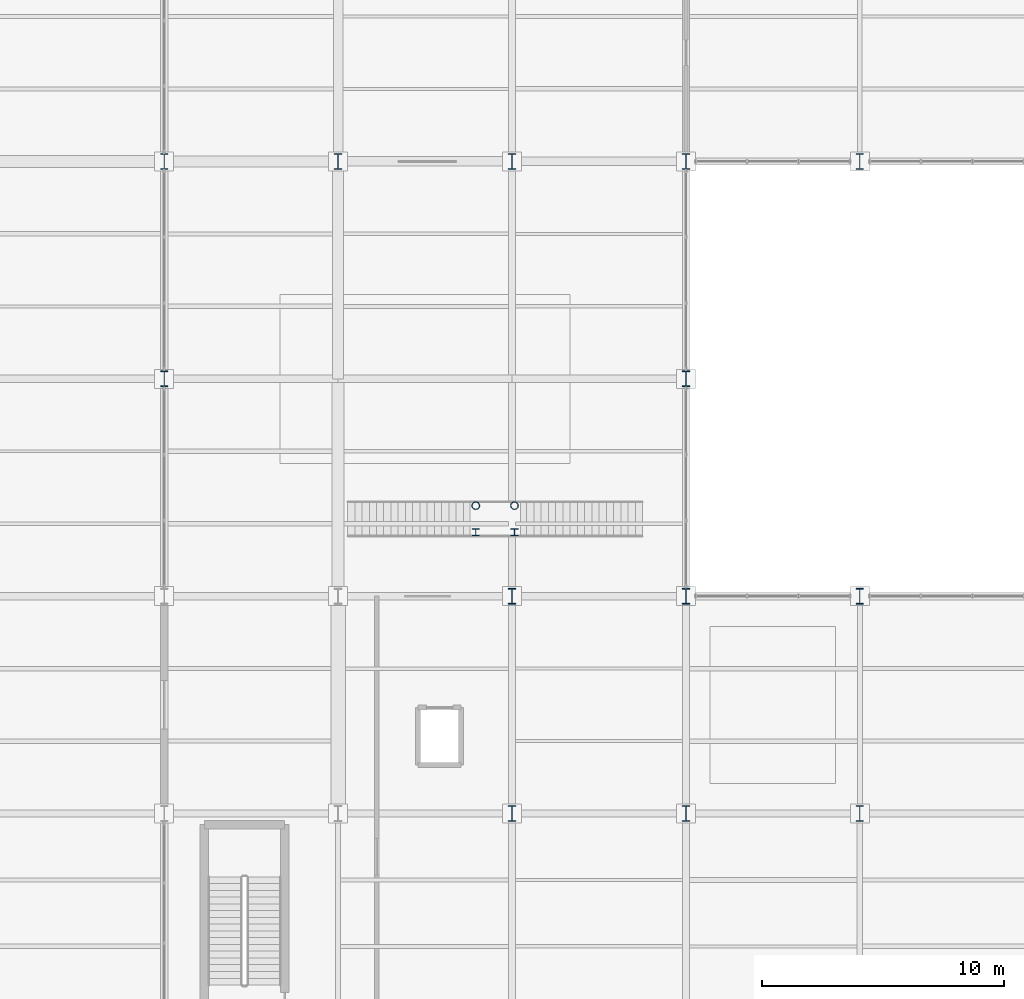
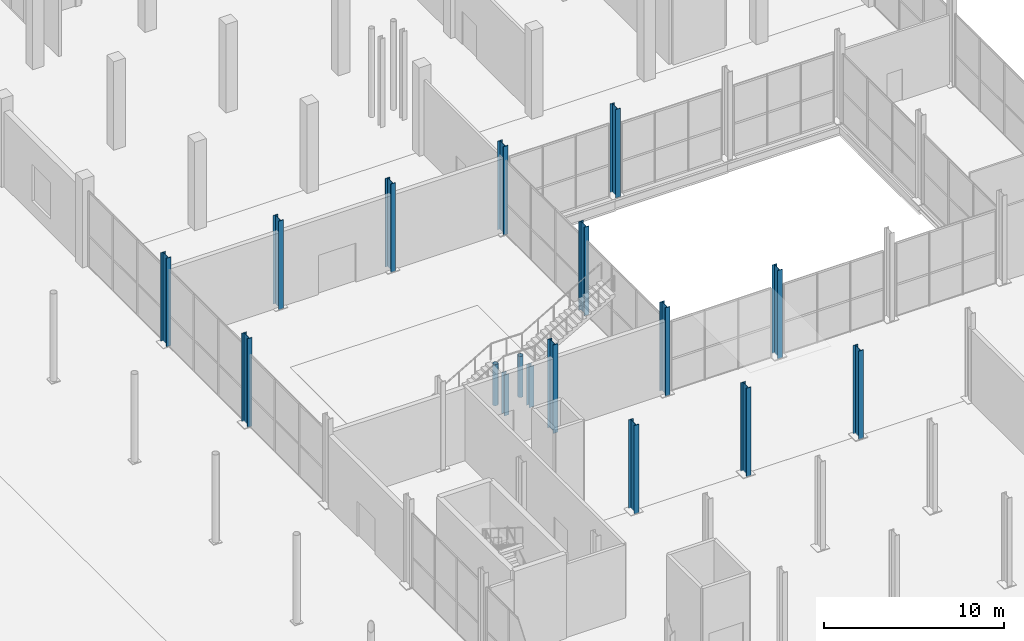
# One storey, part 5 of 144: 17 columns.
"""IFC4 building model written with IfcOpenShell, lengths in metres."""

from ifc_helpers import new_model, si_unit, direction, frame, origin, origin_2d, place, context, subcontext, project, spatial, hollow_circle, i_section, extrude, material, material_profile, profile_set, type_object, element, save


model = new_model("IFC4")

# Units and contexts
model_context = context("Model", 3, precision=1e-05, world=origin(), true_north=direction((0.0, 1.0)))
body_context = subcontext(model_context, "Body", "Model", "MODEL_VIEW")
ifc_project = project(units=[si_unit("LENGTHUNIT", "METRE"), si_unit("AREAUNIT", "SQUARE_METRE"), si_unit("VOLUMEUNIT", "CUBIC_METRE"), si_unit("PLANEANGLEUNIT", "RADIAN"), si_unit("MASSUNIT", "GRAM", prefix="KILO")], contexts=[model_context])

# Site, building, storey
site_placement = place(None, origin())
site = spatial("IfcSite", under=ifc_project, at=site_placement, CompositionType="ELEMENT")
building_placement = place(site_placement, origin())
building = spatial("IfcBuilding", under=site, at=building_placement, Name="Sundgate Opera House", CompositionType="ELEMENT")
storey_placement = place(building_placement, origin())
storey = spatial("IfcBuildingStorey", under=building, at=storey_placement, Name="L00", CompositionType="ELEMENT", Elevation=0.0)

# Columns
ifc_material_1 = material(Name="Steel S355J2", Category="steel")
ifc_material_profile_1 = material_profile(ifc_material_1, hollow_circle(Radius=0.161865234375, WallThickness=0.01611328125, at=origin_2d()), Name="CHS 323.9x16.0")
ifc_profile_set_1 = profile_set([ifc_material_profile_1], Name="Steel S355J2")
column_type_1 = type_object("IfcColumnType", Name="CL-CHS-324", PredefinedType="COLUMN", material=ifc_profile_set_1)
for number, where, z_axis, x_axis, name in (
    (1, (108.300048828125, 45.75, 0.0), (0.0, 0.0, 1.0), (1.0, 0.0, 0.0), "Chamber Studio Gallery Straight Stair Landing Post C"),
    (2, (109.89990234375, 45.75, 0.0), (0.0, 0.0, 1.0), (1.0, 0.0, 0.0), "Chamber Studio Gallery Straight Stair Landing Post D"),
):
    element("IfcColumn", number, at=place(storey_placement, frame(where, z_axis=z_axis, x_axis=x_axis)), inside=storey, type_object=column_type_1, Name=name, PredefinedType="COLUMN", context=body_context, shape_type="SweptSolid", body=[
        extrude(hollow_circle(Radius=0.161865234375, WallThickness=0.01611328125, at=origin_2d()), origin(), (0.0, 0.0, 1.0), 2.780029296875),
    ])
ifc_material_2 = material(Name="Steel S355J2", Category="steel")
ifc_material_profile_2 = material_profile(ifc_material_2, i_section(OverallWidth=0.300048828125, OverallDepth=0.300048828125, WebThickness=0.010986328125, FlangeThickness=0.01904296875, at=origin_2d()), Name="HEB 300")
ifc_profile_set_2 = profile_set([ifc_material_profile_2], Name="Steel S355J2")
column_type_2 = type_object("IfcColumnType", Name="CL-STL-300", PredefinedType="COLUMN", material=ifc_profile_set_2)
for number, where, z_axis, x_axis, name in (
    (3, (108.300048828125, 44.64990234375, 0.0), (0.0, 0.0, 1.0), (1.0, 0.0, 0.0), "Chamber Studio Gallery Straight Stair Landing Post A"),
    (4, (109.89990234375, 44.64990234375, 0.0), (0.0, 0.0, 1.0), (1.0, 0.0, 0.0), "Chamber Studio Gallery Straight Stair Landing Post B"),
):
    element("IfcColumn", number, at=place(storey_placement, frame(where, z_axis=z_axis, x_axis=x_axis)), inside=storey, type_object=column_type_2, Name=name, PredefinedType="COLUMN", context=body_context, shape_type="SweptSolid", body=[
        extrude(i_section(OverallWidth=0.300048828125, OverallDepth=0.300048828125, WebThickness=0.010986328125, FlangeThickness=0.01904296875, at=origin_2d()), origin(), (0.0, 0.0, 1.0), 2.780029296875),
    ])
ifc_material_3 = material(Name="Steel S355J2", Category="steel")
ifc_material_profile_3 = material_profile(ifc_material_3, i_section(OverallWidth=0.300048828125, OverallDepth=0.64990234375, WebThickness=0.01611328125, FlangeThickness=0.031005859375, at=origin_2d()), Name="HEB 650")
ifc_profile_set_3 = profile_set([ifc_material_profile_3], Name="Steel S355J2")
column_type_3 = type_object("IfcColumnType", Name="CL-STL-650", PredefinedType="COLUMN", material=ifc_profile_set_3)
for number, where, z_axis, x_axis, name in (
    (5, (95.39990234375, 51.0, 0.0), (0.0, 0.0, 1.0), (1.0, 0.0, 0.0), "L00 Column C0649"),
    (6, (95.39990234375, 60.0, 0.0), (0.0, 0.0, 1.0), (1.0, 0.0, 0.0), "L00 Column C0653"),
    (7, (102.60009765625, 60.0, 0.0), (0.0, 0.0, 1.0), (1.0, 0.0, 0.0), "L00 Column C0717"),
    (8, (109.800048828125, 33.0, 0.0), (0.0, 0.0, 1.0), (1.0, 0.0, 0.0), "L00 Column C0772"),
    (9, (109.800048828125, 42.0, 0.0), (0.0, 0.0, 1.0), (1.0, 0.0, 0.0), "L00 Column C0776"),
    (10, (109.800048828125, 60.0, 0.0), (0.0, 0.0, 1.0), (1.0, 0.0, 0.0), "L00 Column C0781"),
    (11, (117.0, 33.0, 0.0), (0.0, 0.0, 1.0), (1.0, 0.0, 0.0), "L00 Column C0833"),
    (12, (117.0, 42.0, 0.0), (0.0, 0.0, 1.0), (1.0, 0.0, 0.0), "L00 Column C0837"),
    (13, (117.0, 51.0, 0.0), (0.0, 0.0, 1.0), (1.0, 0.0, 0.0), "L00 Column C0841"),
    (14, (117.0, 60.0, 0.0), (0.0, 0.0, 1.0), (1.0, 0.0, 0.0), "L00 Column C0845"),
    (15, (124.199951171875, 33.0, 0.0), (0.0, 0.0, 1.0), (1.0, 0.0, 0.0), "L00 Column C0897"),
    (16, (124.199951171875, 42.0, 0.0), (0.0, 0.0, 1.0), (1.0, 0.0, 0.0), "L00 Column C0901"),
    (17, (124.199951171875, 60.0, 0.0), (0.0, 0.0, 1.0), (1.0, 0.0, 0.0), "L00 Column C0905"),
):
    element("IfcColumn", number, at=place(storey_placement, frame(where, z_axis=z_axis, x_axis=x_axis)), inside=storey, type_object=column_type_3, Name=name, PredefinedType="COLUMN", context=body_context, shape_type="SweptSolid", body=[
        extrude(i_section(OverallWidth=0.300048828125, OverallDepth=0.64990234375, WebThickness=0.01611328125, FlangeThickness=0.031005859375, at=origin_2d()), origin(), (0.0, 0.0, 1.0), 6.0),
    ])

save(model, "model.ifc")
